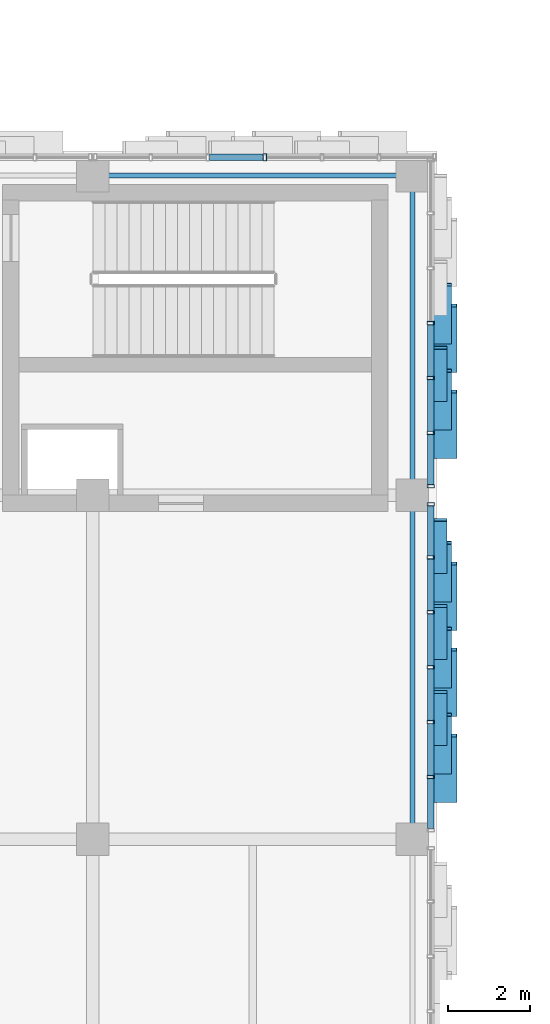
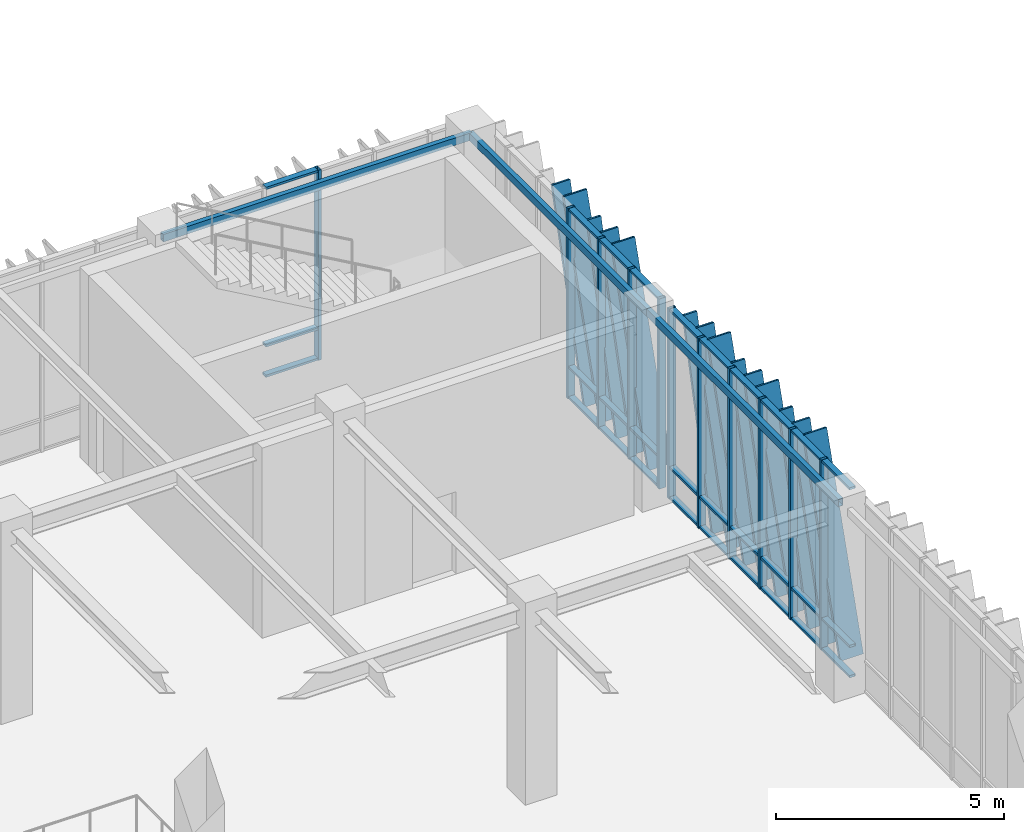
# One storey, part 71 of 139: 55 members, 3 beams, 3 elements without a shape of their own.
"""IFC4 building model written with IfcOpenShell, lengths in metres."""

from ifc_helpers import new_model, si_unit, direction, frame, origin, origin_2d, place, context, subcontext, project, spatial, hollow_rectangle, extrude, material, layer, layer_set, material_profile, profile_set, type_object, element, aggregate, save


model = new_model("IFC4")

# Units and contexts
model_context = context("Model", 3, precision=1e-05, world=origin(), true_north=direction((0.0, 1.0)))
body_context = subcontext(model_context, "Body", "Model", "MODEL_VIEW")
ifc_project = project(units=[si_unit("LENGTHUNIT", "METRE"), si_unit("AREAUNIT", "SQUARE_METRE"), si_unit("VOLUMEUNIT", "CUBIC_METRE"), si_unit("PLANEANGLEUNIT", "RADIAN"), si_unit("MASSUNIT", "GRAM", prefix="KILO")], contexts=[model_context])

# Site, building, storey
site_placement = place(None, origin())
site = spatial("IfcSite", under=ifc_project, at=site_placement, CompositionType="ELEMENT")
building_placement = place(site_placement, origin())
building = spatial("IfcBuilding", under=site, at=building_placement, Name="Zayran Congress Hotel", CompositionType="ELEMENT")
storey_placement = place(building_placement, frame((0.0, 0.0, 5.39990234375)))
storey = spatial("IfcBuildingStorey", under=building, at=storey_placement, Name="L01", CompositionType="ELEMENT", Elevation=5.39990234375)

# Beams
ifc_material_1 = material(Name="Steel S355", Category="steel")
ifc_material_profile_1 = material_profile(ifc_material_1, hollow_rectangle(XDim=0.1201171875, YDim=0.199951171875, WallThickness=0.008056640625, at=origin_2d()), Name="RHS 200x120x8")
ifc_profile_set_1 = profile_set([ifc_material_profile_1], Name="Steel S355")
beam_type = type_object("IfcBeamType", Name="TP-SP-02", PredefinedType="SPANDREL", material=ifc_profile_set_1)
beam_1_placement = place(storey_placement, frame((84.0, 117.39990234375, 4.97998046875), z_axis=(1.0, 0.0, 0.0), x_axis=(0.0, 1.0, 0.0)))
element("IfcBeam", 1, at=beam_1_placement, inside=storey, type_object=beam_type, Name="BM-V1-L01-0570", PredefinedType="SPANDREL", context=body_context, shape_type="SweptSolid", body=[
    extrude(hollow_rectangle(XDim=0.1201171875, YDim=0.199951171875, WallThickness=0.008056640625, at=origin_2d()), origin(), (0.0, 0.0, 1.0), 7.800048828125),
])
beam_2_placement = place(storey_placement, frame((91.800048828125, 101.199951171875, 4.97998046875), z_axis=(0.0, 1.0, 0.0), x_axis=(-1.0, 0.0, 0.0)))
element("IfcBeam", 2, at=beam_2_placement, inside=storey, type_object=beam_type, Name="BM-V1-L01-0616", PredefinedType="SPANDREL", context=body_context, shape_type="SweptSolid", body=[
    extrude(hollow_rectangle(XDim=0.1201171875, YDim=0.199951171875, WallThickness=0.008056640625, at=origin_2d()), origin(), (0.0, 0.0, 1.0), 8.400146484375),
])
beam_3_placement = place(storey_placement, frame((91.800048828125, 109.60009765625, 4.97998046875), z_axis=(0.0, 1.0, 0.0), x_axis=(-1.0, 0.0, 0.0)))
element("IfcBeam", 3, at=beam_3_placement, inside=storey, type_object=beam_type, Name="BM-V1-L01-0617", PredefinedType="SPANDREL", context=body_context, shape_type="SweptSolid", body=[
    extrude(hollow_rectangle(XDim=0.1201171875, YDim=0.199951171875, WallThickness=0.008056640625, at=origin_2d()), origin(), (0.0, 0.0, 1.0), 7.7998046875),
])

# Curtain wall, member
ifc_material_2 = material(Name="Anodised aluminium and low-E insulated glass", Category="aluminium")
ifc_layer_1 = layer(ifc_material_2, 0.179931640625)
ifc_layer_set_1 = layer_set([ifc_layer_1], Name="Anodised aluminium and low-E insulated glass")
curtain_wall_type_1 = type_object("IfcCurtainWallType", Name="CW-V1N-L01-CW-21-8360-5080", PredefinedType="USERDEFINED", material=ifc_layer_set_1)
curtain_wall_1_placement = place(storey_placement, origin())
curtain_wall_1 = element("IfcCurtainWall", 4, at=curtain_wall_1_placement, inside=storey, type_object=curtain_wall_type_1, Name="CW-V1N-L01-9", ObjectType="CURTAIN WALL", PredefinedType="USERDEFINED")
ifc_material_3 = material(Name="Anodised aluminium framing", Category="aluminium")
ifc_material_profile_2 = material_profile(ifc_material_3, hollow_rectangle(XDim=0.080078125, YDim=0.179931640625, WallThickness=0.0048828125, at=origin_2d()), Name="RHS 180x80x5")
ifc_profile_set_2 = profile_set([ifc_material_profile_2], Name="Anodised aluminium framing")
member_type_1 = type_object("IfcMemberType", Name="TP-CWM-01", PredefinedType="MULLION", material=ifc_profile_set_2)
member_1_placement = place(storey_placement, frame((88.199951171875, 117.85009765625, 0.0), z_axis=(0.0, 0.0, 1.0), x_axis=(1.0, 0.0, 0.0)))
member_1 = element("IfcMember", 5, at=member_1_placement, type_object=member_type_1, Name="CW-V1N-L01-9-M03", PredefinedType="MULLION", context=body_context, shape_type="SweptSolid", body=[
    extrude(hollow_rectangle(XDim=0.080078125, YDim=0.179931640625, WallThickness=0.0048828125, at=origin_2d()), origin(), (0.0, 0.0, 1.0), 5.080078125),
])

# Curtain wall, members
ifc_layer_2 = layer(ifc_material_2, 0.179931640625)
ifc_layer_set_2 = layer_set([ifc_layer_2], Name="Anodised aluminium and low-E insulated glass")
curtain_wall_type_2 = type_object("IfcCurtainWallType", Name="CW-V1E-L01-CW-41-8040-5080", PredefinedType="USERDEFINED", material=ifc_layer_set_2)
curtain_wall_2_placement = place(storey_placement, origin())
curtain_wall_2 = element("IfcCurtainWall", 6, at=curtain_wall_2_placement, inside=storey, type_object=curtain_wall_type_2, Name="CW-V1E-L01-4", ObjectType="CURTAIN WALL", PredefinedType="USERDEFINED")
member_2_placement = place(storey_placement, frame((92.25, 102.719970703125, 0.0), z_axis=(0.0, 0.0, 1.0), x_axis=(0.0, 1.0, 0.0)))
member_2 = element("IfcMember", 7, at=member_2_placement, type_object=member_type_1, Name="CW-V1E-L01-4-M01", PredefinedType="MULLION", context=body_context, shape_type="SweptSolid", body=[
    extrude(hollow_rectangle(XDim=0.080078125, YDim=0.179931640625, WallThickness=0.0048828125, at=origin_2d()), origin(), (0.0, 0.0, 1.0), 5.080078125),
])
member_3_placement = place(storey_placement, frame((92.25, 104.06005859375, 0.0), z_axis=(0.0, 0.0, 1.0), x_axis=(0.0, 1.0, 0.0)))
member_3 = element("IfcMember", 8, at=member_3_placement, type_object=member_type_1, Name="CW-V1E-L01-4-M02", PredefinedType="MULLION", context=body_context, shape_type="SweptSolid", body=[
    extrude(hollow_rectangle(XDim=0.080078125, YDim=0.179931640625, WallThickness=0.0048828125, at=origin_2d()), origin(), (0.0, 0.0, 1.0), 5.080078125),
])
member_4_placement = place(storey_placement, frame((92.25, 105.39990234375, 0.0), z_axis=(0.0, 0.0, 1.0), x_axis=(0.0, 1.0, 0.0)))
member_4 = element("IfcMember", 9, at=member_4_placement, type_object=member_type_1, Name="CW-V1E-L01-4-M03", PredefinedType="MULLION", context=body_context, shape_type="SweptSolid", body=[
    extrude(hollow_rectangle(XDim=0.080078125, YDim=0.179931640625, WallThickness=0.0048828125, at=origin_2d()), origin(), (0.0, 0.0, 1.0), 5.080078125),
])
member_5_placement = place(storey_placement, frame((92.25, 106.739990234375, 0.0), z_axis=(0.0, 0.0, 1.0), x_axis=(0.0, 1.0, 0.0)))
member_5 = element("IfcMember", 10, at=member_5_placement, type_object=member_type_1, Name="CW-V1E-L01-4-M04", PredefinedType="MULLION", context=body_context, shape_type="SweptSolid", body=[
    extrude(hollow_rectangle(XDim=0.080078125, YDim=0.179931640625, WallThickness=0.0048828125, at=origin_2d()), origin(), (0.0, 0.0, 1.0), 5.080078125),
])
member_6_placement = place(storey_placement, frame((92.25, 108.080078125, 0.0), z_axis=(0.0, 0.0, 1.0), x_axis=(0.0, 1.0, 0.0)))
member_6 = element("IfcMember", 11, at=member_6_placement, type_object=member_type_1, Name="CW-V1E-L01-4-M05", PredefinedType="MULLION", context=body_context, shape_type="SweptSolid", body=[
    extrude(hollow_rectangle(XDim=0.080078125, YDim=0.179931640625, WallThickness=0.0048828125, at=origin_2d()), origin(), (0.0, 0.0, 1.0), 5.080078125),
])
member_7_placement = place(storey_placement, frame((92.25, 109.3798828125, 0.0), z_axis=(0.0, 0.0, 1.0), x_axis=(0.0, 1.0, 0.0)))
member_7 = element("IfcMember", 12, at=member_7_placement, type_object=member_type_1, Name="CW-V1E-L01-4-M06", PredefinedType="MULLION", context=body_context, shape_type="SweptSolid", body=[
    extrude(hollow_rectangle(XDim=0.080078125, YDim=0.179931640625, WallThickness=0.0048828125, at=origin_2d()), origin(), (0.0, 0.0, 1.0), 5.080078125),
])

ifc_layer_3 = layer(ifc_material_2, 0.179931640625)
ifc_layer_set_3 = layer_set([ifc_layer_3], Name="Anodised aluminium and low-E insulated glass")
curtain_wall_type_3 = type_object("IfcCurtainWallType", Name="CW-V1E-L01-CW-42-8040-5080", PredefinedType="USERDEFINED", material=ifc_layer_set_3)
curtain_wall_3_placement = place(storey_placement, origin())
curtain_wall_3 = element("IfcCurtainWall", 13, at=curtain_wall_3_placement, inside=storey, type_object=curtain_wall_type_3, Name="CW-V1E-L01-5", ObjectType="CURTAIN WALL", PredefinedType="USERDEFINED")
member_8_placement = place(storey_placement, frame((92.25, 109.820068359375, 0.0), z_axis=(0.0, 0.0, 1.0), x_axis=(0.0, 1.0, 0.0)))
member_8 = element("IfcMember", 14, at=member_8_placement, type_object=member_type_1, Name="CW-V1E-L01-5-M00", PredefinedType="MULLION", context=body_context, shape_type="SweptSolid", body=[
    extrude(hollow_rectangle(XDim=0.080078125, YDim=0.179931640625, WallThickness=0.0048828125, at=origin_2d()), origin(), (0.0, 0.0, 1.0), 5.080078125),
])
member_9_placement = place(storey_placement, frame((92.25, 111.1201171875, 0.0), z_axis=(0.0, 0.0, 1.0), x_axis=(0.0, 1.0, 0.0)))
member_9 = element("IfcMember", 15, at=member_9_placement, type_object=member_type_1, Name="CW-V1E-L01-5-M01", PredefinedType="MULLION", context=body_context, shape_type="SweptSolid", body=[
    extrude(hollow_rectangle(XDim=0.080078125, YDim=0.179931640625, WallThickness=0.0048828125, at=origin_2d()), origin(), (0.0, 0.0, 1.0), 5.080078125),
])
member_10_placement = place(storey_placement, frame((92.25, 112.4599609375, 0.0), z_axis=(0.0, 0.0, 1.0), x_axis=(0.0, 1.0, 0.0)))
member_10 = element("IfcMember", 16, at=member_10_placement, type_object=member_type_1, Name="CW-V1E-L01-5-M02", PredefinedType="MULLION", context=body_context, shape_type="SweptSolid", body=[
    extrude(hollow_rectangle(XDim=0.080078125, YDim=0.179931640625, WallThickness=0.0048828125, at=origin_2d()), origin(), (0.0, 0.0, 1.0), 5.080078125),
])
member_11_placement = place(storey_placement, frame((92.25, 113.800048828125, 0.0), z_axis=(0.0, 0.0, 1.0), x_axis=(0.0, 1.0, 0.0)))
member_11 = element("IfcMember", 17, at=member_11_placement, type_object=member_type_1, Name="CW-V1E-L01-5-M03", PredefinedType="MULLION", context=body_context, shape_type="SweptSolid", body=[
    extrude(hollow_rectangle(XDim=0.080078125, YDim=0.179931640625, WallThickness=0.0048828125, at=origin_2d()), origin(), (0.0, 0.0, 1.0), 5.080078125),
])

# Member
ifc_material_profile_3 = material_profile(ifc_material_3, hollow_rectangle(XDim=0.06005859375, YDim=0.14990234375, WallThickness=0.00390625, at=origin_2d()), Name="RHS 150x60x4")
ifc_profile_set_3 = profile_set([ifc_material_profile_3], Name="Anodised aluminium framing")
member_type_2 = type_object("IfcMemberType", Name="TP-CWT-01", PredefinedType="USERDEFINED", material=ifc_profile_set_3)
member_12_placement = place(storey_placement, frame((88.159912109375, 117.85009765625, 0.030029296875), z_axis=(-1.0, 0.0, 0.0), x_axis=(0.0, 0.0, 1.0)))
member_12 = element("IfcMember", 18, at=member_12_placement, type_object=member_type_2, Name="CW-V1N-L01-9-T03-0", ObjectType="TRANSOM", PredefinedType="USERDEFINED", context=body_context, shape_type="SweptSolid", body=[
    extrude(hollow_rectangle(XDim=0.06005859375, YDim=0.14990234375, WallThickness=0.00390625, at=origin_2d()), origin(), (0.0, 0.0, 1.0), 1.313232421875),
])

member_13_placement = place(storey_placement, frame((88.159912109375, 117.85009765625, 0.840087890625), z_axis=(-1.0, 0.0, 0.0), x_axis=(0.0, 0.0, 1.0)))
member_13 = element("IfcMember", 19, at=member_13_placement, type_object=member_type_2, Name="CW-V1N-L01-9-T03-1", ObjectType="TRANSOM", PredefinedType="USERDEFINED", context=body_context, shape_type="SweptSolid", body=[
    extrude(hollow_rectangle(XDim=0.06005859375, YDim=0.14990234375, WallThickness=0.00390625, at=origin_2d()), origin(), (0.0, 0.0, 1.0), 1.313232421875),
])

member_14_placement = place(storey_placement, frame((88.159912109375, 117.85009765625, 5.050048828125), z_axis=(-1.0, 0.0, 0.0), x_axis=(0.0, 0.0, 1.0)))
member_14 = element("IfcMember", 20, at=member_14_placement, type_object=member_type_2, Name="CW-V1N-L01-9-T03-2", ObjectType="TRANSOM", PredefinedType="USERDEFINED", context=body_context, shape_type="SweptSolid", body=[
    extrude(hollow_rectangle(XDim=0.06005859375, YDim=0.14990234375, WallThickness=0.00390625, at=origin_2d()), origin(), (0.0, 0.0, 1.0), 1.313232421875),
])

aggregate(curtain_wall_1, [member_1, member_12, member_13, member_14])

member_15_placement = place(storey_placement, frame((92.25, 101.4599609375, 0.030029296875), z_axis=(0.0, 1.0, 0.0), x_axis=(0.0, 0.0, 1.0)))
member_15 = element("IfcMember", 21, at=member_15_placement, type_object=member_type_2, Name="CW-V1E-L01-4-T00-0", ObjectType="TRANSOM", PredefinedType="USERDEFINED", context=body_context, shape_type="SweptSolid", body=[
    extrude(hollow_rectangle(XDim=0.06005859375, YDim=0.14990234375, WallThickness=0.00390625, at=origin_2d()), origin(), (0.0, 0.0, 1.0), 1.219970703125),
])

member_16_placement = place(storey_placement, frame((92.25, 101.4599609375, 0.840087890625), z_axis=(0.0, 1.0, 0.0), x_axis=(0.0, 0.0, 1.0)))
member_16 = element("IfcMember", 22, at=member_16_placement, type_object=member_type_2, Name="CW-V1E-L01-4-T00-1", ObjectType="TRANSOM", PredefinedType="USERDEFINED", context=body_context, shape_type="SweptSolid", body=[
    extrude(hollow_rectangle(XDim=0.06005859375, YDim=0.14990234375, WallThickness=0.00390625, at=origin_2d()), origin(), (0.0, 0.0, 1.0), 1.219970703125),
])

member_17_placement = place(storey_placement, frame((92.25, 101.4599609375, 5.050048828125), z_axis=(0.0, 1.0, 0.0), x_axis=(0.0, 0.0, 1.0)))
member_17 = element("IfcMember", 23, at=member_17_placement, type_object=member_type_2, Name="CW-V1E-L01-4-T00-2", ObjectType="TRANSOM", PredefinedType="USERDEFINED", context=body_context, shape_type="SweptSolid", body=[
    extrude(hollow_rectangle(XDim=0.06005859375, YDim=0.14990234375, WallThickness=0.00390625, at=origin_2d()), origin(), (0.0, 0.0, 1.0), 1.219970703125),
])

member_18_placement = place(storey_placement, frame((92.25, 102.760009765625, 0.030029296875), z_axis=(0.0, 1.0, 0.0), x_axis=(0.0, 0.0, 1.0)))
member_18 = element("IfcMember", 24, at=member_18_placement, type_object=member_type_2, Name="CW-V1E-L01-4-T01-0", ObjectType="TRANSOM", PredefinedType="USERDEFINED", context=body_context, shape_type="SweptSolid", body=[
    extrude(hollow_rectangle(XDim=0.06005859375, YDim=0.14990234375, WallThickness=0.00390625, at=origin_2d()), origin(), (0.0, 0.0, 1.0), 1.260009765625),
])

member_19_placement = place(storey_placement, frame((92.25, 102.760009765625, 0.840087890625), z_axis=(0.0, 1.0, 0.0), x_axis=(0.0, 0.0, 1.0)))
member_19 = element("IfcMember", 25, at=member_19_placement, type_object=member_type_2, Name="CW-V1E-L01-4-T01-1", ObjectType="TRANSOM", PredefinedType="USERDEFINED", context=body_context, shape_type="SweptSolid", body=[
    extrude(hollow_rectangle(XDim=0.06005859375, YDim=0.14990234375, WallThickness=0.00390625, at=origin_2d()), origin(), (0.0, 0.0, 1.0), 1.260009765625),
])

member_20_placement = place(storey_placement, frame((92.25, 102.760009765625, 5.050048828125), z_axis=(0.0, 1.0, 0.0), x_axis=(0.0, 0.0, 1.0)))
member_20 = element("IfcMember", 26, at=member_20_placement, type_object=member_type_2, Name="CW-V1E-L01-4-T01-2", ObjectType="TRANSOM", PredefinedType="USERDEFINED", context=body_context, shape_type="SweptSolid", body=[
    extrude(hollow_rectangle(XDim=0.06005859375, YDim=0.14990234375, WallThickness=0.00390625, at=origin_2d()), origin(), (0.0, 0.0, 1.0), 1.260009765625),
])

member_21_placement = place(storey_placement, frame((92.25, 104.10009765625, 0.030029296875), z_axis=(0.0, 1.0, 0.0), x_axis=(0.0, 0.0, 1.0)))
member_21 = element("IfcMember", 27, at=member_21_placement, type_object=member_type_2, Name="CW-V1E-L01-4-T02-0", ObjectType="TRANSOM", PredefinedType="USERDEFINED", context=body_context, shape_type="SweptSolid", body=[
    extrude(hollow_rectangle(XDim=0.06005859375, YDim=0.14990234375, WallThickness=0.00390625, at=origin_2d()), origin(), (0.0, 0.0, 1.0), 1.260009765625),
])

member_22_placement = place(storey_placement, frame((92.25, 104.10009765625, 0.840087890625), z_axis=(0.0, 1.0, 0.0), x_axis=(0.0, 0.0, 1.0)))
member_22 = element("IfcMember", 28, at=member_22_placement, type_object=member_type_2, Name="CW-V1E-L01-4-T02-1", ObjectType="TRANSOM", PredefinedType="USERDEFINED", context=body_context, shape_type="SweptSolid", body=[
    extrude(hollow_rectangle(XDim=0.06005859375, YDim=0.14990234375, WallThickness=0.00390625, at=origin_2d()), origin(), (0.0, 0.0, 1.0), 1.260009765625),
])

member_23_placement = place(storey_placement, frame((92.25, 104.10009765625, 5.050048828125), z_axis=(0.0, 1.0, 0.0), x_axis=(0.0, 0.0, 1.0)))
member_23 = element("IfcMember", 29, at=member_23_placement, type_object=member_type_2, Name="CW-V1E-L01-4-T02-2", ObjectType="TRANSOM", PredefinedType="USERDEFINED", context=body_context, shape_type="SweptSolid", body=[
    extrude(hollow_rectangle(XDim=0.06005859375, YDim=0.14990234375, WallThickness=0.00390625, at=origin_2d()), origin(), (0.0, 0.0, 1.0), 1.260009765625),
])

member_24_placement = place(storey_placement, frame((92.25, 105.43994140625, 0.030029296875), z_axis=(0.0, 1.0, 0.0), x_axis=(0.0, 0.0, 1.0)))
member_24 = element("IfcMember", 30, at=member_24_placement, type_object=member_type_2, Name="CW-V1E-L01-4-T03-0", ObjectType="TRANSOM", PredefinedType="USERDEFINED", context=body_context, shape_type="SweptSolid", body=[
    extrude(hollow_rectangle(XDim=0.06005859375, YDim=0.14990234375, WallThickness=0.00390625, at=origin_2d()), origin(), (0.0, 0.0, 1.0), 1.260009765625),
])

member_25_placement = place(storey_placement, frame((92.25, 105.43994140625, 0.840087890625), z_axis=(0.0, 1.0, 0.0), x_axis=(0.0, 0.0, 1.0)))
member_25 = element("IfcMember", 31, at=member_25_placement, type_object=member_type_2, Name="CW-V1E-L01-4-T03-1", ObjectType="TRANSOM", PredefinedType="USERDEFINED", context=body_context, shape_type="SweptSolid", body=[
    extrude(hollow_rectangle(XDim=0.06005859375, YDim=0.14990234375, WallThickness=0.00390625, at=origin_2d()), origin(), (0.0, 0.0, 1.0), 1.260009765625),
])

member_26_placement = place(storey_placement, frame((92.25, 105.43994140625, 5.050048828125), z_axis=(0.0, 1.0, 0.0), x_axis=(0.0, 0.0, 1.0)))
member_26 = element("IfcMember", 32, at=member_26_placement, type_object=member_type_2, Name="CW-V1E-L01-4-T03-2", ObjectType="TRANSOM", PredefinedType="USERDEFINED", context=body_context, shape_type="SweptSolid", body=[
    extrude(hollow_rectangle(XDim=0.06005859375, YDim=0.14990234375, WallThickness=0.00390625, at=origin_2d()), origin(), (0.0, 0.0, 1.0), 1.260009765625),
])

member_27_placement = place(storey_placement, frame((92.25, 106.780029296875, 0.030029296875), z_axis=(0.0, 1.0, 0.0), x_axis=(0.0, 0.0, 1.0)))
member_27 = element("IfcMember", 33, at=member_27_placement, type_object=member_type_2, Name="CW-V1E-L01-4-T04-0", ObjectType="TRANSOM", PredefinedType="USERDEFINED", context=body_context, shape_type="SweptSolid", body=[
    extrude(hollow_rectangle(XDim=0.06005859375, YDim=0.14990234375, WallThickness=0.00390625, at=origin_2d()), origin(), (0.0, 0.0, 1.0), 1.260009765625),
])

member_28_placement = place(storey_placement, frame((92.25, 106.780029296875, 0.840087890625), z_axis=(0.0, 1.0, 0.0), x_axis=(0.0, 0.0, 1.0)))
member_28 = element("IfcMember", 34, at=member_28_placement, type_object=member_type_2, Name="CW-V1E-L01-4-T04-1", ObjectType="TRANSOM", PredefinedType="USERDEFINED", context=body_context, shape_type="SweptSolid", body=[
    extrude(hollow_rectangle(XDim=0.06005859375, YDim=0.14990234375, WallThickness=0.00390625, at=origin_2d()), origin(), (0.0, 0.0, 1.0), 1.260009765625),
])

member_29_placement = place(storey_placement, frame((92.25, 106.780029296875, 5.050048828125), z_axis=(0.0, 1.0, 0.0), x_axis=(0.0, 0.0, 1.0)))
member_29 = element("IfcMember", 35, at=member_29_placement, type_object=member_type_2, Name="CW-V1E-L01-4-T04-2", ObjectType="TRANSOM", PredefinedType="USERDEFINED", context=body_context, shape_type="SweptSolid", body=[
    extrude(hollow_rectangle(XDim=0.06005859375, YDim=0.14990234375, WallThickness=0.00390625, at=origin_2d()), origin(), (0.0, 0.0, 1.0), 1.260009765625),
])

member_30_placement = place(storey_placement, frame((92.25, 108.1201171875, 0.030029296875), z_axis=(0.0, 1.0, 0.0), x_axis=(0.0, 0.0, 1.0)))
member_30 = element("IfcMember", 36, at=member_30_placement, type_object=member_type_2, Name="CW-V1E-L01-4-T05-0", ObjectType="TRANSOM", PredefinedType="USERDEFINED", context=body_context, shape_type="SweptSolid", body=[
    extrude(hollow_rectangle(XDim=0.06005859375, YDim=0.14990234375, WallThickness=0.00390625, at=origin_2d()), origin(), (0.0, 0.0, 1.0), 1.219970703125),
])

member_31_placement = place(storey_placement, frame((92.25, 108.1201171875, 0.840087890625), z_axis=(0.0, 1.0, 0.0), x_axis=(0.0, 0.0, 1.0)))
member_31 = element("IfcMember", 37, at=member_31_placement, type_object=member_type_2, Name="CW-V1E-L01-4-T05-1", ObjectType="TRANSOM", PredefinedType="USERDEFINED", context=body_context, shape_type="SweptSolid", body=[
    extrude(hollow_rectangle(XDim=0.06005859375, YDim=0.14990234375, WallThickness=0.00390625, at=origin_2d()), origin(), (0.0, 0.0, 1.0), 1.219970703125),
])

member_32_placement = place(storey_placement, frame((92.25, 108.1201171875, 5.050048828125), z_axis=(0.0, 1.0, 0.0), x_axis=(0.0, 0.0, 1.0)))
member_32 = element("IfcMember", 38, at=member_32_placement, type_object=member_type_2, Name="CW-V1E-L01-4-T05-2", ObjectType="TRANSOM", PredefinedType="USERDEFINED", context=body_context, shape_type="SweptSolid", body=[
    extrude(hollow_rectangle(XDim=0.06005859375, YDim=0.14990234375, WallThickness=0.00390625, at=origin_2d()), origin(), (0.0, 0.0, 1.0), 1.219970703125),
])

member_33_placement = place(storey_placement, frame((92.25, 109.860107421875, 0.030029296875), z_axis=(0.0, 1.0, 0.0), x_axis=(0.0, 0.0, 1.0)))
member_33 = element("IfcMember", 39, at=member_33_placement, type_object=member_type_2, Name="CW-V1E-L01-5-T00-0", ObjectType="TRANSOM", PredefinedType="USERDEFINED", context=body_context, shape_type="SweptSolid", body=[
    extrude(hollow_rectangle(XDim=0.06005859375, YDim=0.14990234375, WallThickness=0.00390625, at=origin_2d()), origin(), (0.0, 0.0, 1.0), 1.219970703125),
])

member_34_placement = place(storey_placement, frame((92.25, 109.860107421875, 0.840087890625), z_axis=(0.0, 1.0, 0.0), x_axis=(0.0, 0.0, 1.0)))
member_34 = element("IfcMember", 40, at=member_34_placement, type_object=member_type_2, Name="CW-V1E-L01-5-T00-1", ObjectType="TRANSOM", PredefinedType="USERDEFINED", context=body_context, shape_type="SweptSolid", body=[
    extrude(hollow_rectangle(XDim=0.06005859375, YDim=0.14990234375, WallThickness=0.00390625, at=origin_2d()), origin(), (0.0, 0.0, 1.0), 1.219970703125),
])

member_35_placement = place(storey_placement, frame((92.25, 109.860107421875, 5.050048828125), z_axis=(0.0, 1.0, 0.0), x_axis=(0.0, 0.0, 1.0)))
member_35 = element("IfcMember", 41, at=member_35_placement, type_object=member_type_2, Name="CW-V1E-L01-5-T00-2", ObjectType="TRANSOM", PredefinedType="USERDEFINED", context=body_context, shape_type="SweptSolid", body=[
    extrude(hollow_rectangle(XDim=0.06005859375, YDim=0.14990234375, WallThickness=0.00390625, at=origin_2d()), origin(), (0.0, 0.0, 1.0), 1.219970703125),
])

member_36_placement = place(storey_placement, frame((92.25, 111.159912109375, 0.030029296875), z_axis=(0.0, 1.0, 0.0), x_axis=(0.0, 0.0, 1.0)))
member_36 = element("IfcMember", 42, at=member_36_placement, type_object=member_type_2, Name="CW-V1E-L01-5-T01-0", ObjectType="TRANSOM", PredefinedType="USERDEFINED", context=body_context, shape_type="SweptSolid", body=[
    extrude(hollow_rectangle(XDim=0.06005859375, YDim=0.14990234375, WallThickness=0.00390625, at=origin_2d()), origin(), (0.0, 0.0, 1.0), 1.260009765625),
])

member_37_placement = place(storey_placement, frame((92.25, 111.159912109375, 0.840087890625), z_axis=(0.0, 1.0, 0.0), x_axis=(0.0, 0.0, 1.0)))
member_37 = element("IfcMember", 43, at=member_37_placement, type_object=member_type_2, Name="CW-V1E-L01-5-T01-1", ObjectType="TRANSOM", PredefinedType="USERDEFINED", context=body_context, shape_type="SweptSolid", body=[
    extrude(hollow_rectangle(XDim=0.06005859375, YDim=0.14990234375, WallThickness=0.00390625, at=origin_2d()), origin(), (0.0, 0.0, 1.0), 1.260009765625),
])

member_38_placement = place(storey_placement, frame((92.25, 111.159912109375, 5.050048828125), z_axis=(0.0, 1.0, 0.0), x_axis=(0.0, 0.0, 1.0)))
member_38 = element("IfcMember", 44, at=member_38_placement, type_object=member_type_2, Name="CW-V1E-L01-5-T01-2", ObjectType="TRANSOM", PredefinedType="USERDEFINED", context=body_context, shape_type="SweptSolid", body=[
    extrude(hollow_rectangle(XDim=0.06005859375, YDim=0.14990234375, WallThickness=0.00390625, at=origin_2d()), origin(), (0.0, 0.0, 1.0), 1.260009765625),
])

member_39_placement = place(storey_placement, frame((92.25, 112.5, 0.030029296875), z_axis=(0.0, 1.0, 0.0), x_axis=(0.0, 0.0, 1.0)))
member_39 = element("IfcMember", 45, at=member_39_placement, type_object=member_type_2, Name="CW-V1E-L01-5-T02-0", ObjectType="TRANSOM", PredefinedType="USERDEFINED", context=body_context, shape_type="SweptSolid", body=[
    extrude(hollow_rectangle(XDim=0.06005859375, YDim=0.14990234375, WallThickness=0.00390625, at=origin_2d()), origin(), (0.0, 0.0, 1.0), 1.260009765625),
])

member_40_placement = place(storey_placement, frame((92.25, 112.5, 0.840087890625), z_axis=(0.0, 1.0, 0.0), x_axis=(0.0, 0.0, 1.0)))
member_40 = element("IfcMember", 46, at=member_40_placement, type_object=member_type_2, Name="CW-V1E-L01-5-T02-1", ObjectType="TRANSOM", PredefinedType="USERDEFINED", context=body_context, shape_type="SweptSolid", body=[
    extrude(hollow_rectangle(XDim=0.06005859375, YDim=0.14990234375, WallThickness=0.00390625, at=origin_2d()), origin(), (0.0, 0.0, 1.0), 1.260009765625),
])

member_41_placement = place(storey_placement, frame((92.25, 112.5, 5.050048828125), z_axis=(0.0, 1.0, 0.0), x_axis=(0.0, 0.0, 1.0)))
member_41 = element("IfcMember", 47, at=member_41_placement, type_object=member_type_2, Name="CW-V1E-L01-5-T02-2", ObjectType="TRANSOM", PredefinedType="USERDEFINED", context=body_context, shape_type="SweptSolid", body=[
    extrude(hollow_rectangle(XDim=0.06005859375, YDim=0.14990234375, WallThickness=0.00390625, at=origin_2d()), origin(), (0.0, 0.0, 1.0), 1.260009765625),
])

ifc_material_4 = material(Name="Warm bronze anodised aluminium", Category="aluminium")
ifc_material_profile_4 = material_profile(ifc_material_4, hollow_rectangle(XDim=0.080078125, YDim=0.580078125, WallThickness=0.006103515625, at=origin_2d()), Name="RHS 580x80x6")
ifc_profile_set_4 = profile_set([ifc_material_profile_4], Name="Warm bronze anodised aluminium")
member_type_3 = type_object("IfcMemberType", Name="TP-RFN-01", PredefinedType="MULLION", material=ifc_profile_set_4)
member_42_placement = place(storey_placement, frame((92.60009765625, 102.1298828125, 0.0), z_axis=(0.0, 0.300716755525, 0.953713496259), x_axis=(0.0, -0.953713496259, 0.300716755525)))
member_42 = element("IfcMember", 48, at=member_42_placement, type_object=member_type_3, Name="Slanting Reed Mullion CW-41-01", PredefinedType="MULLION", context=body_context, shape_type="SweptSolid", body=[
    extrude(hollow_rectangle(XDim=0.080078125, YDim=0.580078125, WallThickness=0.006103515625, at=origin_2d()), origin(), (0.0, 0.0, 1.0), 5.32666015625),
])

member_43_placement = place(storey_placement, frame((92.60009765625, 104.22998046875, 0.0), z_axis=(0.0, 0.300716755525, 0.953713496259), x_axis=(0.0, -0.953713496259, 0.300716755525)))
member_43 = element("IfcMember", 49, at=member_43_placement, type_object=member_type_3, Name="Slanting Reed Mullion CW-41-04", PredefinedType="MULLION", context=body_context, shape_type="SweptSolid", body=[
    extrude(hollow_rectangle(XDim=0.080078125, YDim=0.580078125, WallThickness=0.006103515625, at=origin_2d()), origin(), (0.0, 0.0, 1.0), 5.32666015625),
])

member_44_placement = place(storey_placement, frame((92.60009765625, 106.330078125, 0.0), z_axis=(0.0, 0.300675065474, 0.953726640606), x_axis=(0.0, -0.953726640606, 0.300675065474)))
member_44 = element("IfcMember", 50, at=member_44_placement, type_object=member_type_3, Name="Slanting Reed Mullion CW-41-07", PredefinedType="MULLION", context=body_context, shape_type="SweptSolid", body=[
    extrude(hollow_rectangle(XDim=0.080078125, YDim=0.580078125, WallThickness=0.006103515625, at=origin_2d()), origin(), (0.0, 0.0, 1.0), 5.32666015625),
])

member_45_placement = place(storey_placement, frame((92.60009765625, 110.530029296875, 0.0), z_axis=(0.0, 0.300675065474, 0.953726640606), x_axis=(0.0, -0.953726640606, 0.300675065474)))
member_45 = element("IfcMember", 51, at=member_45_placement, type_object=member_type_3, Name="Slanting Reed Mullion CW-42-01", PredefinedType="MULLION", context=body_context, shape_type="SweptSolid", body=[
    extrude(hollow_rectangle(XDim=0.080078125, YDim=0.580078125, WallThickness=0.006103515625, at=origin_2d()), origin(), (0.0, 0.0, 1.0), 5.32666015625),
])

member_46_placement = place(storey_placement, frame((92.60009765625, 112.6298828125, 0.0), z_axis=(0.0, 0.300716755525, 0.953713496259), x_axis=(0.0, -0.953713496259, 0.300716755525)))
member_46 = element("IfcMember", 52, at=member_46_placement, type_object=member_type_3, Name="Slanting Reed Mullion CW-42-04", PredefinedType="MULLION", context=body_context, shape_type="SweptSolid", body=[
    extrude(hollow_rectangle(XDim=0.080078125, YDim=0.580078125, WallThickness=0.006103515625, at=origin_2d()), origin(), (0.0, 0.0, 1.0), 5.32666015625),
])

ifc_material_profile_5 = material_profile(ifc_material_4, hollow_rectangle(XDim=0.080078125, YDim=0.449951171875, WallThickness=0.006103515625, at=origin_2d()), Name="RHS 450x80x6")
ifc_profile_set_5 = profile_set([ifc_material_profile_5], Name="Warm bronze anodised aluminium")
member_type_4 = type_object("IfcMemberType", Name="TP-RFN-02", PredefinedType="MULLION", material=ifc_profile_set_5)
member_47_placement = place(storey_placement, frame((92.534912109375, 102.830078125, 0.0), z_axis=(0.0, 0.267213902124, 0.963637240102), x_axis=(0.0, -0.963637240102, 0.267213902124)))
member_47 = element("IfcMember", 53, at=member_47_placement, type_object=member_type_4, Name="Slanting Reed Mullion CW-41-02", PredefinedType="MULLION", context=body_context, shape_type="SweptSolid", body=[
    extrude(hollow_rectangle(XDim=0.080078125, YDim=0.449951171875, WallThickness=0.006103515625, at=origin_2d()), origin(), (0.0, 0.0, 1.0), 5.271728515625),
])

member_48_placement = place(storey_placement, frame((92.534912109375, 104.929931640625, 0.0), z_axis=(0.0, 0.267256905477, 0.96362531436), x_axis=(0.0, -0.96362531436, 0.267256905477)))
member_48 = element("IfcMember", 54, at=member_48_placement, type_object=member_type_4, Name="Slanting Reed Mullion CW-41-05", PredefinedType="MULLION", context=body_context, shape_type="SweptSolid", body=[
    extrude(hollow_rectangle(XDim=0.080078125, YDim=0.449951171875, WallThickness=0.006103515625, at=origin_2d()), origin(), (0.0, 0.0, 1.0), 5.271728515625),
])

member_49_placement = place(storey_placement, frame((92.534912109375, 107.030029296875, 0.0), z_axis=(0.0, 0.267213902124, 0.963637240102), x_axis=(0.0, -0.963637240102, 0.267213902124)))
member_49 = element("IfcMember", 55, at=member_49_placement, type_object=member_type_4, Name="Slanting Reed Mullion CW-41-08", PredefinedType="MULLION", context=body_context, shape_type="SweptSolid", body=[
    extrude(hollow_rectangle(XDim=0.080078125, YDim=0.449951171875, WallThickness=0.006103515625, at=origin_2d()), origin(), (0.0, 0.0, 1.0), 5.271728515625),
])

member_50_placement = place(storey_placement, frame((92.534912109375, 111.22998046875, 0.0), z_axis=(0.0, 0.267256905477, 0.96362531436), x_axis=(0.0, -0.96362531436, 0.267256905477)))
member_50 = element("IfcMember", 56, at=member_50_placement, type_object=member_type_4, Name="Slanting Reed Mullion CW-42-02", PredefinedType="MULLION", context=body_context, shape_type="SweptSolid", body=[
    extrude(hollow_rectangle(XDim=0.080078125, YDim=0.449951171875, WallThickness=0.006103515625, at=origin_2d()), origin(), (0.0, 0.0, 1.0), 5.271728515625),
])

member_51_placement = place(storey_placement, frame((92.534912109375, 113.330078125, 0.0), z_axis=(0.0, 0.267213902124, 0.963637240102), x_axis=(0.0, -0.963637240102, 0.267213902124)))
member_51 = element("IfcMember", 57, at=member_51_placement, type_object=member_type_4, Name="Slanting Reed Mullion CW-42-05", PredefinedType="MULLION", context=body_context, shape_type="SweptSolid", body=[
    extrude(hollow_rectangle(XDim=0.080078125, YDim=0.449951171875, WallThickness=0.006103515625, at=origin_2d()), origin(), (0.0, 0.0, 1.0), 5.271728515625),
])

ifc_material_profile_6 = material_profile(ifc_material_4, hollow_rectangle(XDim=0.080078125, YDim=0.340087890625, WallThickness=0.006103515625, at=origin_2d()), Name="RHS 340x80x6")
ifc_profile_set_6 = profile_set([ifc_material_profile_6], Name="Warm bronze anodised aluminium")
member_type_5 = type_object("IfcMemberType", Name="TP-RFN-03", PredefinedType="MULLION", material=ifc_profile_set_6)
member_52_placement = place(storey_placement, frame((92.47998046875, 103.530029296875, 0.0), z_axis=(0.0, 0.241921145618, 0.970295913267), x_axis=(0.0, -0.970295913267, 0.241921145618)))
member_52 = element("IfcMember", 58, at=member_52_placement, type_object=member_type_5, Name="Slanting Reed Mullion CW-41-03", PredefinedType="MULLION", context=body_context, shape_type="SweptSolid", body=[
    extrude(hollow_rectangle(XDim=0.080078125, YDim=0.340087890625, WallThickness=0.006103515625, at=origin_2d()), origin(), (0.0, 0.0, 1.0), 5.235595703125),
])

member_53_placement = place(storey_placement, frame((92.47998046875, 105.6298828125, 0.0), z_axis=(0.0, 0.241921145618, 0.970295913267), x_axis=(0.0, -0.970295913267, 0.241921145618)))
member_53 = element("IfcMember", 59, at=member_53_placement, type_object=member_type_5, Name="Slanting Reed Mullion CW-41-06", PredefinedType="MULLION", context=body_context, shape_type="SweptSolid", body=[
    extrude(hollow_rectangle(XDim=0.080078125, YDim=0.340087890625, WallThickness=0.006103515625, at=origin_2d()), origin(), (0.0, 0.0, 1.0), 5.235595703125),
])

member_54_placement = place(storey_placement, frame((92.47998046875, 107.72998046875, 0.0), z_axis=(0.0, 0.241921145618, 0.970295913267), x_axis=(0.0, -0.970295913267, 0.241921145618)))
member_54 = element("IfcMember", 60, at=member_54_placement, type_object=member_type_5, Name="Slanting Reed Mullion CW-41-09", PredefinedType="MULLION", context=body_context, shape_type="SweptSolid", body=[
    extrude(hollow_rectangle(XDim=0.080078125, YDim=0.340087890625, WallThickness=0.006103515625, at=origin_2d()), origin(), (0.0, 0.0, 1.0), 5.235595703125),
])

aggregate(curtain_wall_2, [member_2, member_3, member_4, member_5, member_6, member_7, member_15, member_16, member_17, member_18, member_19, member_20, member_21, member_22, member_23, member_24, member_25, member_26, member_27, member_28, member_29, member_30, member_31, member_32, member_42, member_47, member_52, member_43, member_48, member_53, member_44, member_49, member_54])

member_55_placement = place(storey_placement, frame((92.47998046875, 111.929931640625, 0.0), z_axis=(0.0, 0.241921145618, 0.970295913267), x_axis=(0.0, -0.970295913267, 0.241921145618)))
member_55 = element("IfcMember", 61, at=member_55_placement, type_object=member_type_5, Name="Slanting Reed Mullion CW-42-03", PredefinedType="MULLION", context=body_context, shape_type="SweptSolid", body=[
    extrude(hollow_rectangle(XDim=0.080078125, YDim=0.340087890625, WallThickness=0.006103515625, at=origin_2d()), origin(), (0.0, 0.0, 1.0), 5.235595703125),
])

aggregate(curtain_wall_3, [member_8, member_9, member_10, member_11, member_33, member_34, member_35, member_36, member_37, member_38, member_39, member_40, member_41, member_45, member_50, member_55, member_46, member_51])

save(model, "model.ifc")
